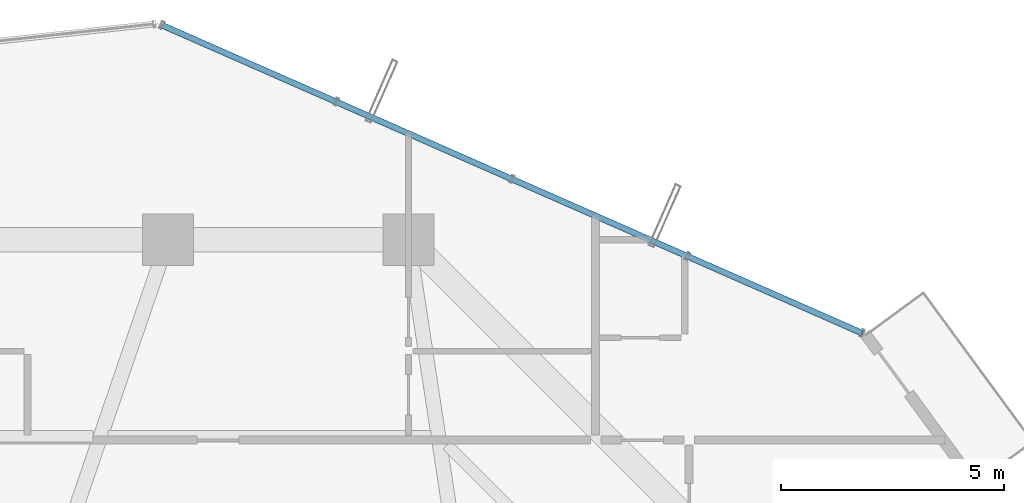
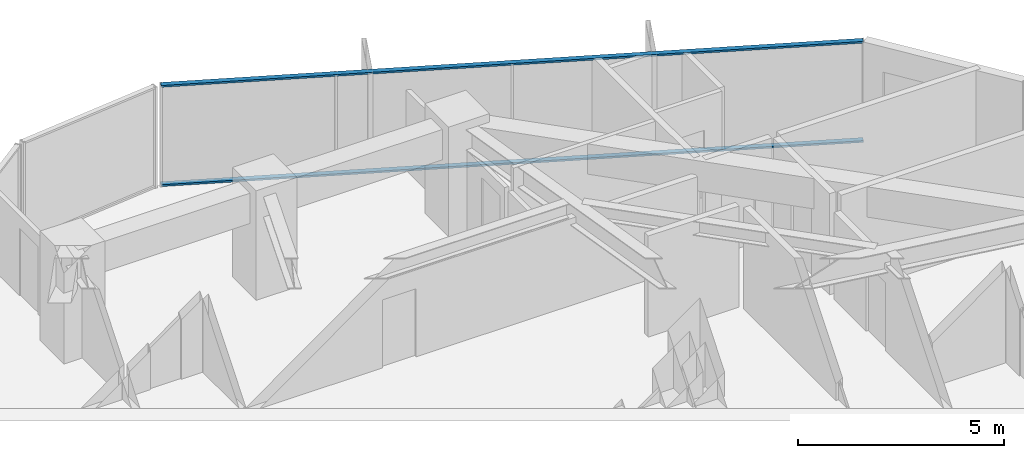
# One storey, part 24 of 34: 2 members, 1 element without a shape of its own.
"""IFC4 building model written with IfcOpenShell, lengths in metres."""

from ifc_helpers import new_model, si_unit, direction, frame, origin, origin_2d, place, context, subcontext, project, spatial, hollow_rectangle, extrude, source, transform, mapped, material, layer, layer_set, material_profile, profile_set, type_object, element, aggregate, save


model = new_model("IFC4")

# Units and contexts
model_context = context("Model", 3, precision=1e-05, world=origin(), true_north=direction((0.0, 1.0)))
body_context = subcontext(model_context, "Body", "Model", "MODEL_VIEW")
ifc_project = project(units=[si_unit("LENGTHUNIT", "METRE"), si_unit("AREAUNIT", "SQUARE_METRE"), si_unit("VOLUMEUNIT", "CUBIC_METRE"), si_unit("PLANEANGLEUNIT", "RADIAN"), si_unit("MASSUNIT", "GRAM", prefix="KILO")], contexts=[model_context])

# Site, building, storey
site_placement = place(None, origin())
site = spatial("IfcSite", under=ifc_project, at=site_placement, CompositionType="ELEMENT")
building_placement = place(site_placement, origin())
building = spatial("IfcBuilding", under=site, at=building_placement, Name="Veraguas Prism Commons", CompositionType="ELEMENT")
storey_placement = place(building_placement, frame((0.0, 0.0, 149.0)))
storey = spatial("IfcBuildingStorey", under=building, at=storey_placement, Name="L42", CompositionType="ELEMENT", Elevation=149.0)

# Curtain wall, members
ifc_material = material(Name="Anodised aluminium EN AW-6063 T6", Category="aluminium")
ifc_layer = layer(ifc_material, 0.169921875, Name="Unitised Flush Curtain Wall Zone 2", Category="aluminium")
ifc_layer_set = layer_set([ifc_layer], Name="Anodised aluminium EN AW-6063 T6")
curtain_wall_type = type_object("IfcCurtainWallType", Name="Unitised Flush Curtain Wall Zone 2", PredefinedType="NOTDEFINED", material=ifc_layer_set)
curtain_wall_placement = place(storey_placement, origin())
curtain_wall = element("IfcCurtainWall", 1, at=curtain_wall_placement, inside=storey, type_object=curtain_wall_type, Name="Tower Facade Curtain Wall L42-F1", PredefinedType="NOTDEFINED")
ifc_material_profile = material_profile(ifc_material, hollow_rectangle(XDim=0.054931640625, YDim=0.135009765625, WallThickness=0.0029296875, at=origin_2d()), Name="AL55X135X3")
ifc_profile_set = profile_set([ifc_material_profile], Name="Anodised aluminium EN AW-6063 T6")
member_type = type_object("IfcMemberType", Name="Curtain Wall Transom Standard AL 55x135x3", PredefinedType="USERDEFINED", material=ifc_profile_set)
shared_shape = source(origin(), body_context, "Body", "SweptSolid", [
    extrude(hollow_rectangle(XDim=0.054931640625, YDim=0.135009765625, WallThickness=0.0029296875, at=origin_2d()), origin(), (0.0, 0.0, 1.0), 17.17431640625),
])
member_1_placement = place(storey_placement, frame((39.583251953125, 38.102294921875, 0.027587890625), z_axis=(-0.915385028375, 0.40257949504, 0.0), x_axis=(0.0, 0.0, 1.0)))
member_1 = element("IfcMember", 2, at=member_1_placement, type_object=member_type, Name="CW-Z2 Transom 1", ObjectType="TRANSOM", PredefinedType="USERDEFINED", context=body_context, shape_type="MappedRepresentation", body=[
    mapped(shared_shape, transform((0.0, 0.0, 0.0), scale=1.0)),
])
member_2_placement = place(storey_placement, frame((39.583251953125, 38.102294921875, 2.972412109375), z_axis=(-0.915385028375, 0.40257949504, 0.0), x_axis=(0.0, 0.0, 1.0)))
member_2 = element("IfcMember", 3, at=member_2_placement, type_object=member_type, Name="CW-Z2 Transom 2", ObjectType="TRANSOM", PredefinedType="USERDEFINED", context=body_context, shape_type="MappedRepresentation", body=[
    mapped(shared_shape, transform((0.0, 0.0, 0.0), scale=1.0)),
])
aggregate(curtain_wall, [member_1, member_2])

save(model, "model.ifc")
